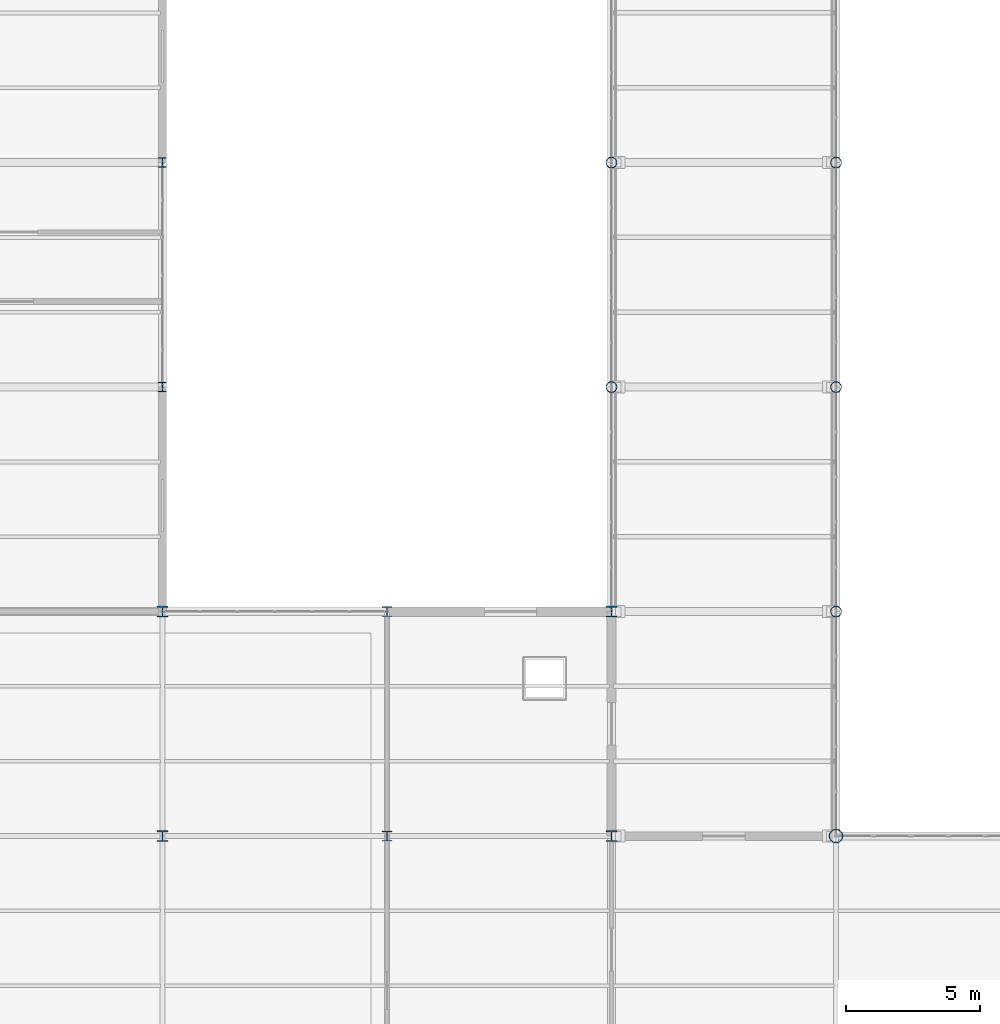
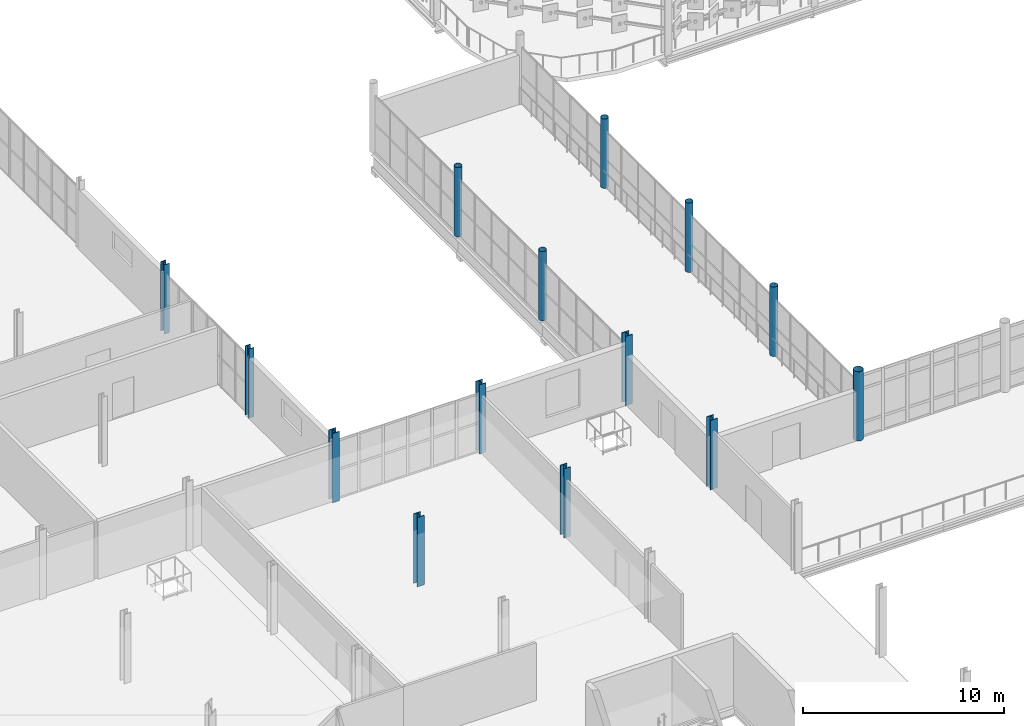
# One storey, part 4 of 163: 14 columns.
"""IFC4 building model written with IfcOpenShell, lengths in metres."""

from ifc_helpers import new_model, si_unit, direction, frame, origin, origin_2d, place, context, subcontext, project, spatial, hollow_circle, i_section, extrude, material, material_profile, profile_set, type_object, element, save


model = new_model("IFC4")

# Units and contexts
model_context = context("Model", 3, precision=1e-05, world=origin(), true_north=direction((0.0, 1.0)))
body_context = subcontext(model_context, "Body", "Model", "MODEL_VIEW")
ifc_project = project(units=[si_unit("LENGTHUNIT", "METRE"), si_unit("AREAUNIT", "SQUARE_METRE"), si_unit("VOLUMEUNIT", "CUBIC_METRE"), si_unit("PLANEANGLEUNIT", "RADIAN"), si_unit("MASSUNIT", "GRAM", prefix="KILO")], contexts=[model_context])

# Site, building, storey
site_placement = place(None, origin())
site = spatial("IfcSite", under=ifc_project, at=site_placement, CompositionType="ELEMENT")
building_placement = place(site_placement, origin())
building = spatial("IfcBuilding", under=site, at=building_placement, Name="Qalvenar Corner Mobility Hub", CompositionType="ELEMENT")
storey_placement = place(building_placement, frame((0.0, 0.0, 4.800048828125)))
storey = spatial("IfcBuildingStorey", under=building, at=storey_placement, Name="L01", CompositionType="ELEMENT", Elevation=4.800048828125)

# Columns
ifc_material = material(Name="Steel S355", Category="steel")
ifc_material_profile_1 = material_profile(ifc_material, hollow_circle(Radius=0.203125, WallThickness=0.012451171875, at=origin_2d()), Name="CHS406.4x12.5")
ifc_profile_set_1 = profile_set([ifc_material_profile_1], Name="Steel S355")
column_type_1 = type_object("IfcColumnType", Name="COL-CHS406", PredefinedType="COLUMN", material=ifc_profile_set_1)
for number, where, z_axis, x_axis, name in (
    (1, (50.39990234375, 50.39990234375, 0.0), (0.0, 0.0, 1.0), (1.0, 0.0, 0.0), "Steel Column L01-G7-6"),
    (2, (50.39990234375, 58.800048828125, 0.0), (0.0, 0.0, 1.0), (1.0, 0.0, 0.0), "Steel Column L01-G7-7"),
    (3, (58.800048828125, 42.0, 0.0), (0.0, 0.0, 1.0), (1.0, 0.0, 0.0), "Steel Column L01-G8-5"),
    (4, (58.800048828125, 50.39990234375, 0.0), (0.0, 0.0, 1.0), (1.0, 0.0, 0.0), "Steel Column L01-G8-6"),
    (5, (58.800048828125, 58.800048828125, 0.0), (0.0, 0.0, 1.0), (1.0, 0.0, 0.0), "Steel Column L01-G8-7"),
):
    element("IfcColumn", number, at=place(storey_placement, frame(where, z_axis=z_axis, x_axis=x_axis)), inside=storey, type_object=column_type_1, Name=name, PredefinedType="COLUMN", context=body_context, shape_type="SweptSolid", body=[
        extrude(hollow_circle(Radius=0.203125, WallThickness=0.012451171875, at=origin_2d()), origin(), (0.0, 0.0, 1.0), 4.199951171875),
    ])
ifc_material_profile_2 = material_profile(ifc_material, hollow_circle(Radius=0.25390625, WallThickness=0.01611328125, at=origin_2d()), Name="CHS508x16")
ifc_profile_set_2 = profile_set([ifc_material_profile_2], Name="Steel S355")
column_type_2 = type_object("IfcColumnType", Name="COL-CHS508", PredefinedType="COLUMN", material=ifc_profile_set_2)
column_placement = place(storey_placement, frame((58.800048828125, 33.60009765625, 0.0), z_axis=(0.0, 0.0, 1.0), x_axis=(1.0, 0.0, 0.0)))
element("IfcColumn", 6, at=column_placement, inside=storey, type_object=column_type_2, Name="Steel Column L01-G8-4", PredefinedType="COLUMN", context=body_context, shape_type="SweptSolid", body=[
    extrude(hollow_circle(Radius=0.25390625, WallThickness=0.01611328125, at=origin_2d()), origin(), (0.0, 0.0, 1.0), 4.199951171875),
])
ifc_material_profile_3 = material_profile(ifc_material, i_section(OverallWidth=0.376953125, OverallDepth=0.386962890625, WebThickness=0.0224609375, FlangeThickness=0.035888671875, FilletRadius=0.014892578125, at=origin_2d()), Name="HD360x262")
ifc_profile_set_3 = profile_set([ifc_material_profile_3], Name="Steel S355")
column_type_3 = type_object("IfcColumnType", Name="COL-HD360X262", PredefinedType="COLUMN", material=ifc_profile_set_3)
for number, where, z_axis, x_axis, name in (
    (7, (42.0, 33.60009765625, 0.0), (0.0, 0.0, 1.0), (1.0, 0.0, 0.0), "Steel Column L01-G6-4"),
    (8, (42.0, 42.0, 0.0), (0.0, 0.0, 1.0), (1.0, 0.0, 0.0), "Steel Column L01-G6-5"),
):
    element("IfcColumn", number, at=place(storey_placement, frame(where, z_axis=z_axis, x_axis=x_axis)), inside=storey, type_object=column_type_3, Name=name, PredefinedType="COLUMN", context=body_context, shape_type="SweptSolid", body=[
        extrude(i_section(OverallWidth=0.376953125, OverallDepth=0.386962890625, WebThickness=0.0224609375, FlangeThickness=0.035888671875, FilletRadius=0.014892578125, at=origin_2d()), origin(), (0.0, 0.0, 1.0), 4.199951171875),
    ])
ifc_material_profile_4 = material_profile(ifc_material, i_section(OverallWidth=0.40087890625, OverallDepth=0.39892578125, WebThickness=0.02490234375, FlangeThickness=0.03955078125, FilletRadius=0.014892578125, at=origin_2d()), Name="HD400x314")
ifc_profile_set_4 = profile_set([ifc_material_profile_4], Name="Steel S355")
column_type_4 = type_object("IfcColumnType", Name="COL-HD400X314", PredefinedType="COLUMN", material=ifc_profile_set_4)
for number, where, z_axis, x_axis, name in (
    (9, (33.60009765625, 33.60009765625, 0.0), (0.0, 0.0, 1.0), (1.0, 0.0, 0.0), "Steel Column L01-G5-4"),
    (10, (33.60009765625, 42.0, 0.0), (0.0, 0.0, 1.0), (1.0, 0.0, 0.0), "Steel Column L01-G5-5"),
    (11, (50.39990234375, 33.60009765625, 0.0), (0.0, 0.0, 1.0), (1.0, 0.0, 0.0), "Steel Column L01-G7-4"),
    (12, (50.39990234375, 42.0, 0.0), (0.0, 0.0, 1.0), (1.0, 0.0, 0.0), "Steel Column L01-G7-5"),
):
    element("IfcColumn", number, at=place(storey_placement, frame(where, z_axis=z_axis, x_axis=x_axis)), inside=storey, type_object=column_type_4, Name=name, PredefinedType="COLUMN", context=body_context, shape_type="SweptSolid", body=[
        extrude(i_section(OverallWidth=0.40087890625, OverallDepth=0.39892578125, WebThickness=0.02490234375, FlangeThickness=0.03955078125, FilletRadius=0.014892578125, at=origin_2d()), origin(), (0.0, 0.0, 1.0), 4.199951171875),
    ])
ifc_material_profile_5 = material_profile(ifc_material, i_section(OverallWidth=0.300048828125, OverallDepth=0.360107421875, WebThickness=0.012451171875, FlangeThickness=0.0224609375, FilletRadius=0.027099609375, at=origin_2d()), Name="HEB360")
ifc_profile_set_5 = profile_set([ifc_material_profile_5], Name="Steel S355")
column_type_5 = type_object("IfcColumnType", Name="COL-HEB360", PredefinedType="COLUMN", material=ifc_profile_set_5)
for number, where, z_axis, x_axis, name in (
    (13, (33.60009765625, 50.39990234375, 0.0), (0.0, 0.0, 1.0), (1.0, 0.0, 0.0), "Steel Column L01-G5-6"),
    (14, (33.60009765625, 58.800048828125, 0.0), (0.0, 0.0, 1.0), (1.0, 0.0, 0.0), "Steel Column L01-G5-7"),
):
    element("IfcColumn", number, at=place(storey_placement, frame(where, z_axis=z_axis, x_axis=x_axis)), inside=storey, type_object=column_type_5, Name=name, PredefinedType="COLUMN", context=body_context, shape_type="SweptSolid", body=[
        extrude(i_section(OverallWidth=0.300048828125, OverallDepth=0.360107421875, WebThickness=0.012451171875, FlangeThickness=0.0224609375, FilletRadius=0.027099609375, at=origin_2d()), origin(), (0.0, 0.0, 1.0), 4.199951171875),
    ])

save(model, "model.ifc")
